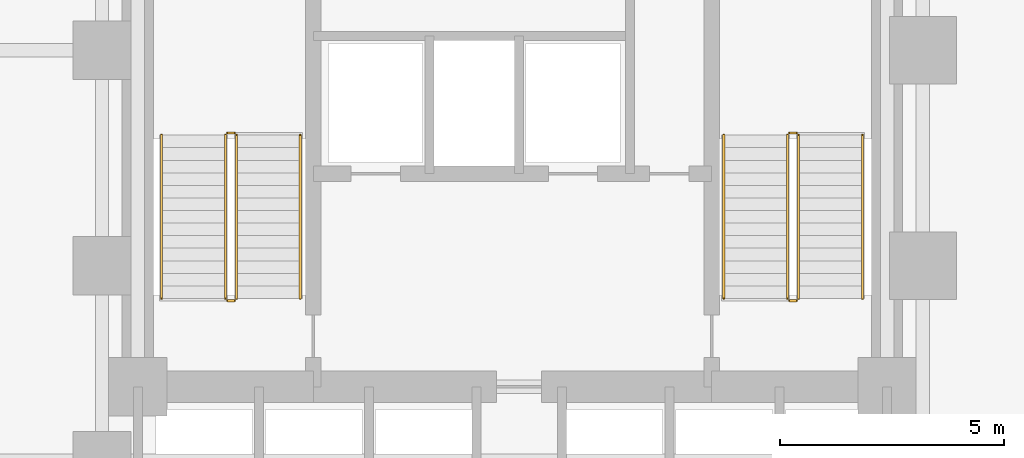
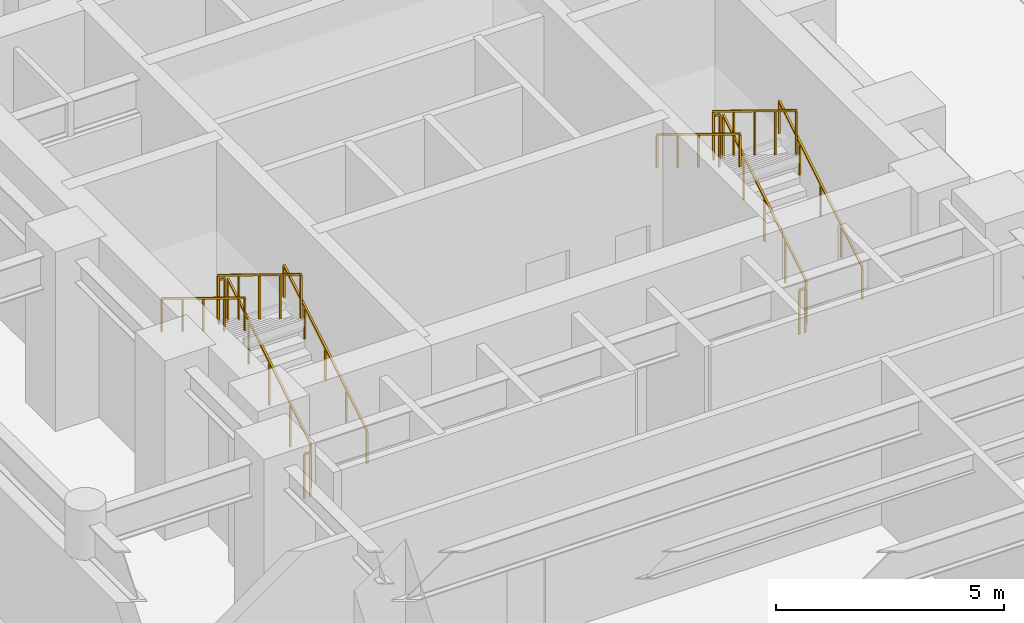
# One storey, part 6 of 8: 12 railings.
"""IFC4 building model written with IfcOpenShell, lengths in metres."""

from ifc_helpers import new_model, si_unit, direction, frame, origin, origin_2d, place, context, subcontext, project, spatial, rectangle, extrude, material, type_object, element, save


model = new_model("IFC4")

# Units and contexts
model_context = context("Model", 3, precision=1e-05, world=origin(), true_north=direction((0.0, 1.0)))
body_context = subcontext(model_context, "Body", "Model", "MODEL_VIEW")
ifc_project = project(units=[si_unit("LENGTHUNIT", "METRE"), si_unit("AREAUNIT", "SQUARE_METRE"), si_unit("VOLUMEUNIT", "CUBIC_METRE"), si_unit("PLANEANGLEUNIT", "RADIAN"), si_unit("MASSUNIT", "GRAM", prefix="KILO")], contexts=[model_context])

# Site, building, storey
site_placement = place(None, origin())
site = spatial("IfcSite", under=ifc_project, at=site_placement, CompositionType="ELEMENT")
building_placement = place(site_placement, origin())
building = spatial("IfcBuilding", under=site, at=building_placement, Name="Orvandelia Arch Residences", CompositionType="ELEMENT")
storey_placement = place(building_placement, frame((0.0, 0.0, 14.800048828125)))
storey = spatial("IfcBuildingStorey", under=building, at=storey_placement, Name="L03", CompositionType="ELEMENT", Elevation=14.800048828125)

# Railings
ifc_material = material(Name="Brushed Stainless Steel 304", Category="steel")
railing_type_1 = type_object("IfcRailingType", Name="RL-STAIR-GD1120", PredefinedType="GUARDRAIL", material=ifc_material)
railing_1_placement = place(storey_placement, frame((8.25, 32.8701171875, 0.17138671875)))
element("IfcRailing", 1, at=railing_1_placement, inside=storey, type_object=railing_type_1, Name="L03 ST-1 stair guard 1", PredefinedType="GUARDRAIL", context=body_context, shape_type="SweptSolid", body=[
    extrude(rectangle(XDim=0.048095703125, YDim=0.048095703125, at=origin_2d()), frame((0.0, 0.0, 1.17578125), z_axis=(0.0, 0.852850264322, 0.5221555579), x_axis=(-1.0, 0.0, 0.0)), (0.0, 0.0, 1.0), 4.267822265625),
    extrude(rectangle(XDim=0.0419921875, YDim=0.0419921875, at=origin_2d()), origin(), (0.0, 0.0, 1.0), 1.15185546875),
    extrude(rectangle(XDim=0.0419921875, YDim=0.0419921875, at=origin_2d()), frame((0.0, 0.909912109375, 0.55712890625)), (0.0, 0.0, 1.0), 1.15185546875),
    extrude(rectangle(XDim=0.0419921875, YDim=0.0419921875, at=origin_2d()), frame((0.0, 1.81982421875, 1.1142578125)), (0.0, 0.0, 1.0), 1.15185546875),
    extrude(rectangle(XDim=0.0419921875, YDim=0.0419921875, at=origin_2d()), frame((0.0, 2.72998046875, 1.67138671875)), (0.0, 0.0, 1.0), 1.15185546875),
    extrude(rectangle(XDim=0.0419921875, YDim=0.0419921875, at=origin_2d()), frame((0.0, 3.639892578125, 2.228515625)), (0.0, 0.0, 1.0), 1.15185546875),
])
railing_2_placement = place(storey_placement, frame((8.199951171875, 36.56005859375, 2.39990234375)))
element("IfcRailing", 2, at=railing_2_placement, inside=storey, type_object=railing_type_1, Name="L03 ST-1 stair guard 2", PredefinedType="GUARDRAIL", context=body_context, shape_type="SweptSolid", body=[
    extrude(rectangle(XDim=0.048095703125, YDim=0.048095703125, at=origin_2d()), frame((0.0, 0.0, 1.17578125), z_axis=(-1.0, 0.0, 0.0), x_axis=(0.0, -1.0, 0.0)), (0.0, 0.0, 1.0), 0.14990234375),
    extrude(rectangle(XDim=0.0419921875, YDim=0.0419921875, at=origin_2d()), origin(), (0.0, 0.0, 1.0), 1.15185546875),
    extrude(rectangle(XDim=0.0419921875, YDim=0.0419921875, at=origin_2d()), frame((-0.14990234375, 0.0, 0.0)), (0.0, 0.0, 1.0), 1.15185546875),
])
railing_3_placement = place(storey_placement, frame((8.0, 36.510009765625, 2.5712890625)))
element("IfcRailing", 3, at=railing_3_placement, inside=storey, type_object=railing_type_1, Name="L03 ST-1 stair guard 3", PredefinedType="GUARDRAIL", context=body_context, shape_type="SweptSolid", body=[
    extrude(rectangle(XDim=0.048095703125, YDim=0.048095703125, at=origin_2d()), frame((0.0, 0.0, 1.17578125), z_axis=(0.0, -0.852824790078, 0.522197163366), x_axis=(1.0, 0.0, 0.0)), (0.0, 0.0, 1.0), 4.26806640625),
    extrude(rectangle(XDim=0.0419921875, YDim=0.0419921875, at=origin_2d()), origin(), (0.0, 0.0, 1.0), 1.15185546875),
    extrude(rectangle(XDim=0.0419921875, YDim=0.0419921875, at=origin_2d()), frame((0.0, -0.909912109375, 0.55712890625)), (0.0, 0.0, 1.0), 1.15185546875),
    extrude(rectangle(XDim=0.0419921875, YDim=0.0419921875, at=origin_2d()), frame((0.0, -1.81982421875, 1.1142578125)), (0.0, 0.0, 1.0), 1.15185546875),
    extrude(rectangle(XDim=0.0419921875, YDim=0.0419921875, at=origin_2d()), frame((0.0, -2.72998046875, 1.671630859375)), (0.0, 0.0, 1.0), 1.15185546875),
    extrude(rectangle(XDim=0.0419921875, YDim=0.0419921875, at=origin_2d()), frame((0.0, -3.639892578125, 2.228759765625)), (0.0, 0.0, 1.0), 1.15185546875),
])
railing_4_placement = place(storey_placement, frame((8.199951171875, 32.820068359375, 0.0)))
element("IfcRailing", 4, at=railing_4_placement, inside=storey, type_object=railing_type_1, Name="L03 ST-1 stair guard 4", PredefinedType="GUARDRAIL", context=body_context, shape_type="SweptSolid", body=[
    extrude(rectangle(XDim=0.048095703125, YDim=0.048095703125, at=origin_2d()), frame((0.0, 0.0, 1.17578125), z_axis=(-1.0, 0.0, 0.0), x_axis=(0.0, -1.0, 0.0)), (0.0, 0.0, 1.0), 0.14990234375),
    extrude(rectangle(XDim=0.0419921875, YDim=0.0419921875, at=origin_2d()), origin(), (0.0, 0.0, 1.0), 1.15185546875),
    extrude(rectangle(XDim=0.0419921875, YDim=0.0419921875, at=origin_2d()), frame((-0.14990234375, 0.0, 0.0)), (0.0, 0.0, 1.0), 1.15185546875),
])
railing_5_placement = place(storey_placement, frame((20.780029296875, 32.8701171875, 0.17138671875)))
element("IfcRailing", 5, at=railing_5_placement, inside=storey, type_object=railing_type_1, Name="L03 ST-2 stair guard 1", PredefinedType="GUARDRAIL", context=body_context, shape_type="SweptSolid", body=[
    extrude(rectangle(XDim=0.048095703125, YDim=0.048095703125, at=origin_2d()), frame((0.0, 0.0, 1.17578125), z_axis=(0.0, 0.852850264322, 0.5221555579), x_axis=(-1.0, 0.0, 0.0)), (0.0, 0.0, 1.0), 4.267822265625),
    extrude(rectangle(XDim=0.0419921875, YDim=0.0419921875, at=origin_2d()), origin(), (0.0, 0.0, 1.0), 1.15185546875),
    extrude(rectangle(XDim=0.0419921875, YDim=0.0419921875, at=origin_2d()), frame((0.0, 0.909912109375, 0.55712890625)), (0.0, 0.0, 1.0), 1.15185546875),
    extrude(rectangle(XDim=0.0419921875, YDim=0.0419921875, at=origin_2d()), frame((0.0, 1.81982421875, 1.1142578125)), (0.0, 0.0, 1.0), 1.15185546875),
    extrude(rectangle(XDim=0.0419921875, YDim=0.0419921875, at=origin_2d()), frame((0.0, 2.72998046875, 1.67138671875)), (0.0, 0.0, 1.0), 1.15185546875),
    extrude(rectangle(XDim=0.0419921875, YDim=0.0419921875, at=origin_2d()), frame((0.0, 3.639892578125, 2.228515625)), (0.0, 0.0, 1.0), 1.15185546875),
])
railing_6_placement = place(storey_placement, frame((20.72998046875, 36.56005859375, 2.39990234375)))
element("IfcRailing", 6, at=railing_6_placement, inside=storey, type_object=railing_type_1, Name="L03 ST-2 stair guard 2", PredefinedType="GUARDRAIL", context=body_context, shape_type="SweptSolid", body=[
    extrude(rectangle(XDim=0.048095703125, YDim=0.048095703125, at=origin_2d()), frame((0.0, 0.0, 1.17578125), z_axis=(-1.0, 0.0, 0.0), x_axis=(0.0, -1.0, 0.0)), (0.0, 0.0, 1.0), 0.14990234375),
    extrude(rectangle(XDim=0.0419921875, YDim=0.0419921875, at=origin_2d()), origin(), (0.0, 0.0, 1.0), 1.15185546875),
    extrude(rectangle(XDim=0.0419921875, YDim=0.0419921875, at=origin_2d()), frame((-0.14990234375, 0.0, 0.0)), (0.0, 0.0, 1.0), 1.15185546875),
])
railing_7_placement = place(storey_placement, frame((20.530029296875, 36.510009765625, 2.5712890625)))
element("IfcRailing", 7, at=railing_7_placement, inside=storey, type_object=railing_type_1, Name="L03 ST-2 stair guard 3", PredefinedType="GUARDRAIL", context=body_context, shape_type="SweptSolid", body=[
    extrude(rectangle(XDim=0.048095703125, YDim=0.048095703125, at=origin_2d()), frame((0.0, 0.0, 1.17578125), z_axis=(0.0, -0.852824790078, 0.522197163366), x_axis=(1.0, 0.0, 0.0)), (0.0, 0.0, 1.0), 4.26806640625),
    extrude(rectangle(XDim=0.0419921875, YDim=0.0419921875, at=origin_2d()), origin(), (0.0, 0.0, 1.0), 1.15185546875),
    extrude(rectangle(XDim=0.0419921875, YDim=0.0419921875, at=origin_2d()), frame((0.0, -0.909912109375, 0.55712890625)), (0.0, 0.0, 1.0), 1.15185546875),
    extrude(rectangle(XDim=0.0419921875, YDim=0.0419921875, at=origin_2d()), frame((0.0, -1.81982421875, 1.1142578125)), (0.0, 0.0, 1.0), 1.15185546875),
    extrude(rectangle(XDim=0.0419921875, YDim=0.0419921875, at=origin_2d()), frame((0.0, -2.72998046875, 1.671630859375)), (0.0, 0.0, 1.0), 1.15185546875),
    extrude(rectangle(XDim=0.0419921875, YDim=0.0419921875, at=origin_2d()), frame((0.0, -3.639892578125, 2.228759765625)), (0.0, 0.0, 1.0), 1.15185546875),
])
railing_8_placement = place(storey_placement, frame((20.72998046875, 32.820068359375, 0.0)))
element("IfcRailing", 8, at=railing_8_placement, inside=storey, type_object=railing_type_1, Name="L03 ST-2 stair guard 4", PredefinedType="GUARDRAIL", context=body_context, shape_type="SweptSolid", body=[
    extrude(rectangle(XDim=0.048095703125, YDim=0.048095703125, at=origin_2d()), frame((0.0, 0.0, 1.17578125), z_axis=(-1.0, 0.0, 0.0), x_axis=(0.0, -1.0, 0.0)), (0.0, 0.0, 1.0), 0.14990234375),
    extrude(rectangle(XDim=0.0419921875, YDim=0.0419921875, at=origin_2d()), origin(), (0.0, 0.0, 1.0), 1.15185546875),
    extrude(rectangle(XDim=0.0419921875, YDim=0.0419921875, at=origin_2d()), frame((-0.14990234375, 0.0, 0.0)), (0.0, 0.0, 1.0), 1.15185546875),
])
railing_type_2 = type_object("IfcRailingType", Name="RL-STAIR-HR920", PredefinedType="HANDRAIL", material=ifc_material)
railing_9_placement = place(storey_placement, frame((9.669921875, 32.8701171875, 0.3427734375)))
element("IfcRailing", 9, at=railing_9_placement, inside=storey, type_object=railing_type_2, Name="L03 ST-1 stair handrail 1", PredefinedType="HANDRAIL", context=body_context, shape_type="SweptSolid", body=[
    extrude(rectangle(XDim=0.048095703125, YDim=0.048095703125, at=origin_2d()), frame((0.0, 0.0, 0.8759765625), z_axis=(0.0, 0.852850264322, 0.5221555579), x_axis=(-1.0, 0.0, 0.0)), (0.0, 0.0, 1.0), 4.267822265625),
    extrude(rectangle(XDim=0.0419921875, YDim=0.0419921875, at=origin_2d()), origin(), (0.0, 0.0, 1.0), 0.851806640625),
    extrude(rectangle(XDim=0.0419921875, YDim=0.0419921875, at=origin_2d()), frame((0.0, 0.909912109375, 0.55712890625)), (0.0, 0.0, 1.0), 0.851806640625),
    extrude(rectangle(XDim=0.0419921875, YDim=0.0419921875, at=origin_2d()), frame((0.0, 1.81982421875, 1.1142578125)), (0.0, 0.0, 1.0), 0.851806640625),
    extrude(rectangle(XDim=0.0419921875, YDim=0.0419921875, at=origin_2d()), frame((0.0, 2.72998046875, 1.67138671875)), (0.0, 0.0, 1.0), 0.851806640625),
    extrude(rectangle(XDim=0.0419921875, YDim=0.0419921875, at=origin_2d()), frame((0.0, 3.639892578125, 2.228515625)), (0.0, 0.0, 1.0), 0.851806640625),
])
railing_10_placement = place(storey_placement, frame((6.580078125, 36.510009765625, 2.742919921875)))
element("IfcRailing", 10, at=railing_10_placement, inside=storey, type_object=railing_type_2, Name="L03 ST-1 stair handrail 2", PredefinedType="HANDRAIL", context=body_context, shape_type="SweptSolid", body=[
    extrude(rectangle(XDim=0.048095703125, YDim=0.048095703125, at=origin_2d()), frame((0.0, 0.0, 0.8759765625), z_axis=(0.0, -0.852850264322, 0.5221555579), x_axis=(1.0, 0.0, 0.0)), (0.0, 0.0, 1.0), 4.267822265625),
    extrude(rectangle(XDim=0.0419921875, YDim=0.0419921875, at=origin_2d()), origin(), (0.0, 0.0, 1.0), 0.851806640625),
    extrude(rectangle(XDim=0.0419921875, YDim=0.0419921875, at=origin_2d()), frame((0.0, -0.909912109375, 0.55712890625)), (0.0, 0.0, 1.0), 0.851806640625),
    extrude(rectangle(XDim=0.0419921875, YDim=0.0419921875, at=origin_2d()), frame((0.0, -1.81982421875, 1.1142578125)), (0.0, 0.0, 1.0), 0.851806640625),
    extrude(rectangle(XDim=0.0419921875, YDim=0.0419921875, at=origin_2d()), frame((0.0, -2.72998046875, 1.67138671875)), (0.0, 0.0, 1.0), 0.851806640625),
    extrude(rectangle(XDim=0.0419921875, YDim=0.0419921875, at=origin_2d()), frame((0.0, -3.639892578125, 2.228515625)), (0.0, 0.0, 1.0), 0.851806640625),
])
railing_11_placement = place(storey_placement, frame((22.199951171875, 32.8701171875, 0.3427734375)))
element("IfcRailing", 11, at=railing_11_placement, inside=storey, type_object=railing_type_2, Name="L03 ST-2 stair handrail 1", PredefinedType="HANDRAIL", context=body_context, shape_type="SweptSolid", body=[
    extrude(rectangle(XDim=0.048095703125, YDim=0.048095703125, at=origin_2d()), frame((0.0, 0.0, 0.8759765625), z_axis=(0.0, 0.852850264322, 0.5221555579), x_axis=(-1.0, 0.0, 0.0)), (0.0, 0.0, 1.0), 4.267822265625),
    extrude(rectangle(XDim=0.0419921875, YDim=0.0419921875, at=origin_2d()), origin(), (0.0, 0.0, 1.0), 0.851806640625),
    extrude(rectangle(XDim=0.0419921875, YDim=0.0419921875, at=origin_2d()), frame((0.0, 0.909912109375, 0.55712890625)), (0.0, 0.0, 1.0), 0.851806640625),
    extrude(rectangle(XDim=0.0419921875, YDim=0.0419921875, at=origin_2d()), frame((0.0, 1.81982421875, 1.1142578125)), (0.0, 0.0, 1.0), 0.851806640625),
    extrude(rectangle(XDim=0.0419921875, YDim=0.0419921875, at=origin_2d()), frame((0.0, 2.72998046875, 1.67138671875)), (0.0, 0.0, 1.0), 0.851806640625),
    extrude(rectangle(XDim=0.0419921875, YDim=0.0419921875, at=origin_2d()), frame((0.0, 3.639892578125, 2.228515625)), (0.0, 0.0, 1.0), 0.851806640625),
])
railing_12_placement = place(storey_placement, frame((19.110107421875, 36.510009765625, 2.742919921875)))
element("IfcRailing", 12, at=railing_12_placement, inside=storey, type_object=railing_type_2, Name="L03 ST-2 stair handrail 2", PredefinedType="HANDRAIL", context=body_context, shape_type="SweptSolid", body=[
    extrude(rectangle(XDim=0.048095703125, YDim=0.048095703125, at=origin_2d()), frame((0.0, 0.0, 0.8759765625), z_axis=(0.0, -0.852850264322, 0.5221555579), x_axis=(1.0, 0.0, 0.0)), (0.0, 0.0, 1.0), 4.267822265625),
    extrude(rectangle(XDim=0.0419921875, YDim=0.0419921875, at=origin_2d()), origin(), (0.0, 0.0, 1.0), 0.851806640625),
    extrude(rectangle(XDim=0.0419921875, YDim=0.0419921875, at=origin_2d()), frame((0.0, -0.909912109375, 0.55712890625)), (0.0, 0.0, 1.0), 0.851806640625),
    extrude(rectangle(XDim=0.0419921875, YDim=0.0419921875, at=origin_2d()), frame((0.0, -1.81982421875, 1.1142578125)), (0.0, 0.0, 1.0), 0.851806640625),
    extrude(rectangle(XDim=0.0419921875, YDim=0.0419921875, at=origin_2d()), frame((0.0, -2.72998046875, 1.67138671875)), (0.0, 0.0, 1.0), 0.851806640625),
    extrude(rectangle(XDim=0.0419921875, YDim=0.0419921875, at=origin_2d()), frame((0.0, -3.639892578125, 2.228515625)), (0.0, 0.0, 1.0), 0.851806640625),
])

save(model, "model.ifc")
